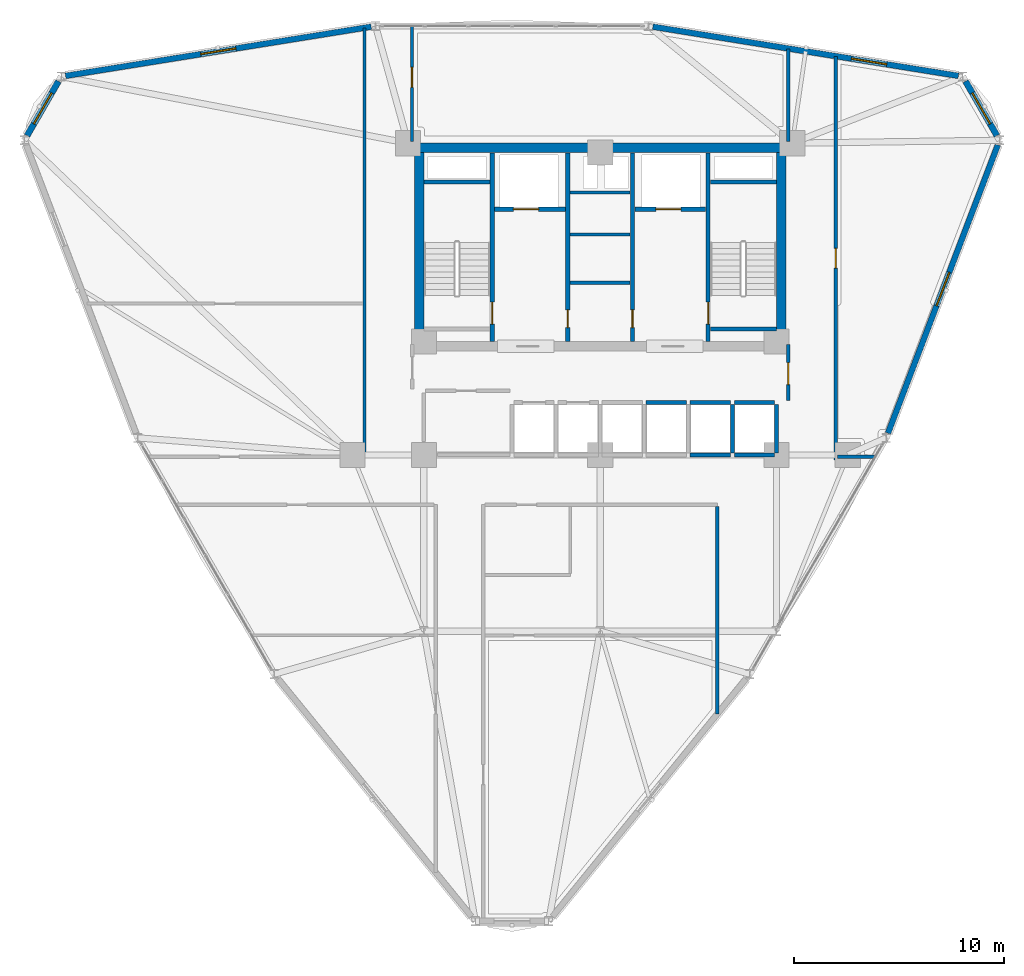
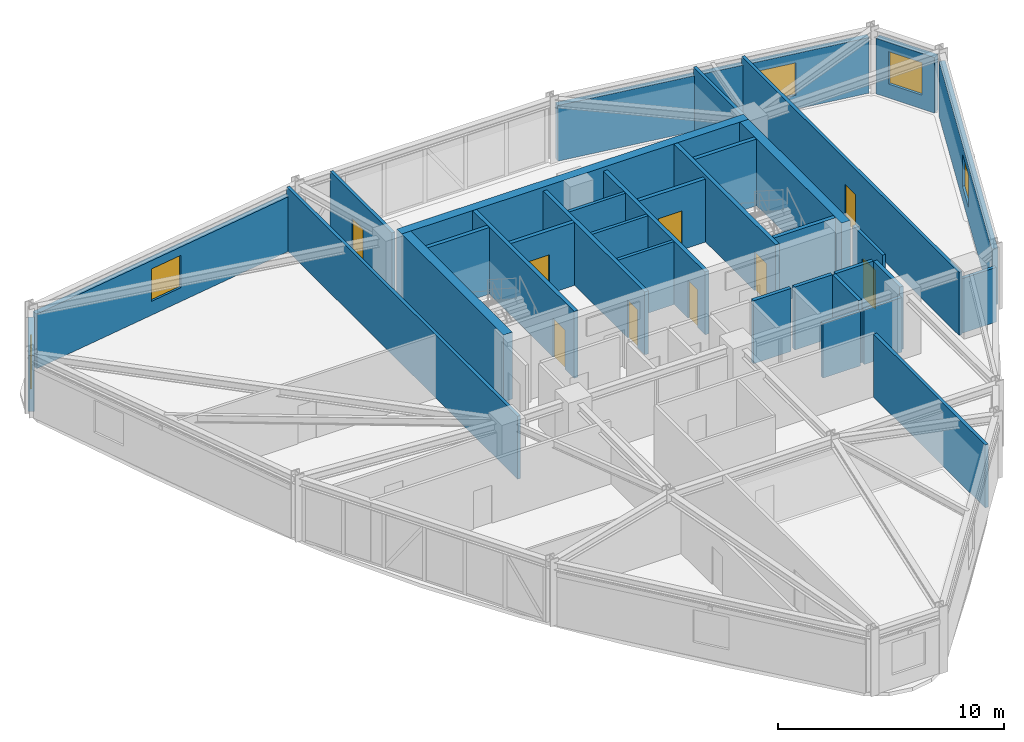
# One storey, part 11 of 15: 34 walls, 9 doors, 5 windows, 14 openings.
"""IFC4 building model written with IfcOpenShell, lengths in metres."""

from ifc_helpers import new_model, si_unit, derived_unit, direction, frame, frame_2d, origin, place, context, subcontext, project, spatial, rectangle, extrude, material, layer, layer_set, type_object, element, fill, save


model = new_model("IFC4")

# Units and contexts
model_context = context("Model", 3, precision=1e-05, world=origin(), true_north=direction((0.0, 1.0)))
body_context = subcontext(model_context, "Body", "Model", "MODEL_VIEW")
ifc_project = project(units=[si_unit("LENGTHUNIT", "METRE"), si_unit("AREAUNIT", "SQUARE_METRE"), si_unit("VOLUMEUNIT", "CUBIC_METRE"), si_unit("PLANEANGLEUNIT", "RADIAN"), si_unit("MASSUNIT", "GRAM", prefix="KILO"), derived_unit("THERMALTRANSMITTANCEUNIT", [(si_unit("POWERUNIT", "WATT"), 1), (si_unit("LENGTHUNIT", "METRE"), -2), (si_unit("THERMODYNAMICTEMPERATUREUNIT", "KELVIN"), -1)])], contexts=[model_context])

# Site, building, storey
site_placement = place(None, origin())
site = spatial("IfcSite", under=ifc_project, at=site_placement, CompositionType="ELEMENT")
building_placement = place(site_placement, origin())
building = spatial("IfcBuilding", under=site, at=building_placement, Name="Korsvarv Bourse and Concert Hall", CompositionType="ELEMENT")
storey_placement = place(building_placement, frame((0.0, 0.0, 147.0)))
storey = spatial("IfcBuildingStorey", under=building, at=storey_placement, Name="L37", CompositionType="ELEMENT", Elevation=147.0)

# Wall, opening, door
ifc_material_1 = material(Name="Concrete C50/60", Category="concrete")
ifc_layer_1 = layer(ifc_material_1, 0.3798828125)
ifc_layer_set_1 = layer_set([ifc_layer_1], Name="Concrete C50/60")
wall_type_1 = type_object("IfcWallType", Name="WL-CORE-380", PredefinedType="SHEAR", material=ifc_layer_set_1)
wall_1_placement = place(storey_placement, frame((30.860107421875, 37.81005859375, 0.0), z_axis=(0.0, 0.0, 1.0), x_axis=(0.0, 1.0, 0.0)))
wall_1 = element("IfcWall", 1, at=wall_1_placement, inside=storey, type_object=wall_type_1, Name="L37 stair shaft structural wall W-L37-ST1-E", PredefinedType="SHEAR", context=body_context, shape_type="SweptSolid", body=[
    extrude(rectangle(XDim=8.97998046875, YDim=0.199951171875, at=frame_2d((4.489990234375, 0.0))), origin(), (0.0, 0.0, 1.0), 3.60009765625),
])
opening_1_placement = place(wall_1_placement, frame((0.820068359375, 0.0, 0.0)))
opening_1 = element("IfcOpeningElement", 2, at=opening_1_placement, cuts=wall_1, Name="Opening D-01", PredefinedType="OPENING", context=body_context, shape_type="SweptSolid", body=[
    extrude(rectangle(XDim=1.050048828125, YDim=2.10009765625, at=frame_2d((0.52490234375, 1.050048828125))), frame((0.0, 0.10986328125, 0.0), z_axis=(0.0, -1.0, 0.0), x_axis=(1.0, 0.0, 0.0)), (0.0, 0.0, 1.0), 0.219970703125),
])
ifc_material_2 = material(Name="Steel S355 fire door", Category="steel")
door_type_1 = type_object("IfcDoorType", Name="DR-FD60", OperationType="NOTDEFINED", PredefinedType="DOOR", material=ifc_material_2)
door_1_placement = place(opening_1_placement, origin())
door_1 = element("IfcDoor", 3, at=door_1_placement, inside=storey, type_object=door_type_1, Name="L37 interior door DR-L37-ST1", OperationType="SINGLE_SWING_LEFT", OverallHeight=2.10009765625, OverallWidth=1.050048828125, PredefinedType="DOOR", context=body_context, shape_type="SweptSolid", body=[
    extrude(rectangle(XDim=1.050048828125, YDim=2.10009765625, at=frame_2d((0.52490234375, 1.050048828125))), frame((0.0, 0.02490234375, 0.0), z_axis=(0.0, -1.0, 0.0), x_axis=(1.0, 0.0, 0.0)), (0.0, 0.0, 1.0), 0.050048828125),
])
fill(opening_1, door_1)

# Wall
wall_2_placement = place(storey_placement, frame((27.610107421875, 45.39990234375, 0.0), z_axis=(0.0, 0.0, 1.0), x_axis=(1.0, 0.0, 0.0)))
element("IfcWall", 4, at=wall_2_placement, inside=storey, type_object=wall_type_1, Name="L37 stair shaft structural wall W-L37-ST1-N", PredefinedType="SHEAR", context=body_context, shape_type="SweptSolid", body=[
    extrude(rectangle(XDim=3.139892578125, YDim=0.199951171875, at=frame_2d((1.56982421875, 0.0))), origin(), (0.0, 0.0, 1.0), 3.60009765625),
])

# Wall, opening, door
wall_3_placement = place(storey_placement, frame((41.139892578125, 37.81005859375, 0.0), z_axis=(0.0, 0.0, 1.0), x_axis=(0.0, 1.0, 0.0)))
wall_3 = element("IfcWall", 5, at=wall_3_placement, inside=storey, type_object=wall_type_1, Name="L37 stair shaft structural wall W-L37-ST2-W", PredefinedType="SHEAR", context=body_context, shape_type="SweptSolid", body=[
    extrude(rectangle(XDim=8.97998046875, YDim=0.199951171875, at=frame_2d((4.489990234375, 0.0))), origin(), (0.0, 0.0, 1.0), 3.60009765625),
])
opening_2_placement = place(wall_3_placement, frame((0.820068359375, 0.0, 0.0)))
opening_2 = element("IfcOpeningElement", 6, at=opening_2_placement, cuts=wall_3, Name="Opening D-01", PredefinedType="OPENING", context=body_context, shape_type="SweptSolid", body=[
    extrude(rectangle(XDim=1.050048828125, YDim=2.10009765625, at=frame_2d((0.52490234375, 1.050048828125))), frame((0.0, 0.10986328125, 0.0), z_axis=(0.0, -1.0, 0.0), x_axis=(1.0, 0.0, 0.0)), (0.0, 0.0, 1.0), 0.219970703125),
])
door_2_placement = place(opening_2_placement, frame((1.050048828125, 0.0, 0.0), z_axis=(0.0, 0.0, 1.0), x_axis=(-1.0, 0.0, 0.0)))
door_2 = element("IfcDoor", 7, at=door_2_placement, inside=storey, type_object=door_type_1, Name="L37 interior door DR-L37-ST2", OperationType="SINGLE_SWING_RIGHT", OverallHeight=2.10009765625, OverallWidth=1.050048828125, PredefinedType="DOOR", context=body_context, shape_type="SweptSolid", body=[
    extrude(rectangle(XDim=1.050048828125, YDim=2.10009765625, at=frame_2d((0.52490234375, 1.050048828125))), frame((0.0, 0.02490234375, 0.0), z_axis=(0.0, -1.0, 0.0), x_axis=(1.0, 0.0, 0.0)), (0.0, 0.0, 1.0), 0.050048828125),
])
fill(opening_2, door_2)

# Walls
for number, where, z_axis, x_axis, name in (
    (8, (41.25, 45.39990234375, 0.0), (0.0, 0.0, 1.0), (1.0, 0.0, 0.0), "L37 stair shaft structural wall W-L37-ST2-N"),
    (9, (41.25, 38.39990234375, 0.0), (0.0, 0.0, 1.0), (1.0, 0.0, 0.0), "L37 stair shaft structural wall W-L37-ST2-S"),
):
    element("IfcWall", number, at=place(storey_placement, frame(where, z_axis=z_axis, x_axis=x_axis)), inside=storey, type_object=wall_type_1, Name=name, PredefinedType="SHEAR", context=body_context, shape_type="SweptSolid", body=[
        extrude(rectangle(XDim=3.139892578125, YDim=0.199951171875, at=frame_2d((1.56982421875, 0.0))), origin(), (0.0, 0.0, 1.0), 3.60009765625),
    ])
ifc_material_3 = material(Name="Concrete C55/67", Category="concrete")
ifc_layer_2 = layer(ifc_material_3, 0.449951171875)
ifc_layer_set_2 = layer_set([ifc_layer_2], Name="Concrete C55/67")
wall_type_2 = type_object("IfcWallType", Name="WL-CORE-450", PredefinedType="SHEAR", material=ifc_layer_set_2)
wall_4_placement = place(storey_placement, frame((27.14990234375, 47.02490234375, 0.0), z_axis=(0.0, 0.0, 1.0), x_axis=(1.0, 0.0, 0.0)))
element("IfcWall", 10, at=wall_4_placement, inside=storey, type_object=wall_type_2, Name="L37 North Core Shear Wall", PredefinedType="SHEAR", context=body_context, shape_type="SweptSolid", body=[
    extrude(rectangle(XDim=17.7001953125, YDim=0.449951171875, at=frame_2d((8.85009765625, 0.0))), origin(), (0.0, 0.0, 1.0), 3.60009765625),
])
for number, where, z_axis, x_axis, name in (
    (11, (27.375, 37.800048828125, 0.0), (0.0, 0.0, 1.0), (0.0, 1.0, 0.0), "L37 West Core Shear Wall"),
    (12, (44.625, 37.800048828125, 0.0), (0.0, 0.0, 1.0), (0.0, 1.0, 0.0), "L37 East Core Shear Wall"),
):
    element("IfcWall", number, at=place(storey_placement, frame(where, z_axis=z_axis, x_axis=x_axis)), inside=storey, type_object=wall_type_2, Name=name, PredefinedType="SHEAR", context=body_context, shape_type="SweptSolid", body=[
        extrude(rectangle(XDim=9.0, YDim=0.449951171875, at=frame_2d((4.5, 0.0))), origin(), (0.0, 0.0, 1.0), 3.60009765625),
    ])

# Wall, opening, window
ifc_material_4 = material(Name="Precast concrete C45/55 with terracotta rainscreen", Category="concrete")
ifc_layer_3 = layer(ifc_material_4, 0.300048828125)
ifc_layer_set_3 = layer_set([ifc_layer_3], Name="Precast concrete C45/55 with terracotta rainscreen")
wall_type_3 = type_object("IfcWallType", Name="WL-EXT-TC1", PredefinedType="SOLIDWALL", material=ifc_layer_set_3)
wall_5_placement = place(storey_placement, frame((54.905517578125, 47.612548828125, 0.0), z_axis=(0.0, 0.0, 1.0), x_axis=(-0.499974392705, 0.866040187658, 0.0)))
wall_5 = element("IfcWall", 13, at=wall_5_placement, inside=storey, type_object=wall_type_3, Name="L37 terracotta exterior wall EW-L37-B01", PredefinedType="SOLIDWALL", context=body_context, shape_type="SweptSolid", body=[
    extrude(rectangle(XDim=2.991943359375, YDim=0.300048828125, at=frame_2d((1.49609375, 0.0))), origin(), (0.0, 0.0, 1.0), 3.0),
])
opening_3_placement = place(wall_5_placement, frame((0.64599609375, 0.0, 0.75)))
opening_3 = element("IfcOpeningElement", 14, at=opening_3_placement, cuts=wall_5, Name="Opening W-01", PredefinedType="OPENING", context=body_context, shape_type="SweptSolid", body=[
    extrude(rectangle(XDim=1.699951171875, YDim=1.75, at=frame_2d((0.85009765625, 0.875))), frame((0.0, 0.16015625, 0.0), z_axis=(0.0, -1.0, 0.0), x_axis=(1.0, 0.0, 0.0)), (0.0, 0.0, 1.0), 0.320068359375),
])
ifc_material_5 = material(Name="Thermally broken aluminium frame with triple low-E glass", Category="glass")
window_type = type_object("IfcWindowType", Name="WIN-TW1", PartitioningType="SINGLE_PANEL", PredefinedType="WINDOW", material=ifc_material_5)
window_1_placement = place(opening_3_placement, origin())
window_1 = element("IfcWindow", 15, at=window_1_placement, inside=storey, type_object=window_type, Name="L37 punched facade window W-01", OverallHeight=1.75, OverallWidth=1.699951171875, PartitioningType="SINGLE_PANEL", PredefinedType="WINDOW", context=body_context, shape_type="SweptSolid", body=[
    extrude(rectangle(XDim=1.699951171875, YDim=1.75, at=frame_2d((0.85009765625, 0.875))), frame((0.0, 0.030029296875, 0.0), z_axis=(0.0, -1.0, 0.0), x_axis=(1.0, 0.0, 0.0)), (0.0, 0.0, 1.0), 0.06005859375),
])
fill(opening_3, window_1)

wall_6_placement = place(storey_placement, frame((10.1904296875, 50.20361328125, 0.0), z_axis=(0.0, 0.0, 1.0), x_axis=(-0.499974392705, -0.866040187658, 0.0)))
wall_6 = element("IfcWall", 16, at=wall_6_placement, inside=storey, type_object=wall_type_3, Name="L37 terracotta exterior wall EW-L37-B05", PredefinedType="SOLIDWALL", context=body_context, shape_type="SweptSolid", body=[
    extrude(rectangle(XDim=2.991943359375, YDim=0.300048828125, at=frame_2d((1.49609375, 0.0))), origin(), (0.0, 0.0, 1.0), 3.0),
])
opening_4_placement = place(wall_6_placement, frame((0.64599609375, 0.0, 0.75)))
opening_4 = element("IfcOpeningElement", 17, at=opening_4_placement, cuts=wall_6, Name="Opening W-01", PredefinedType="OPENING", context=body_context, shape_type="SweptSolid", body=[
    extrude(rectangle(XDim=1.699951171875, YDim=1.75, at=frame_2d((0.85009765625, 0.875))), frame((0.0, 0.16015625, 0.0), z_axis=(0.0, -1.0, 0.0), x_axis=(1.0, 0.0, 0.0)), (0.0, 0.0, 1.0), 0.320068359375),
])
window_2_placement = place(opening_4_placement, origin())
window_2 = element("IfcWindow", 18, at=window_2_placement, inside=storey, type_object=window_type, Name="L37 punched facade window W-01", OverallHeight=1.75, OverallWidth=1.699951171875, PartitioningType="SINGLE_PANEL", PredefinedType="WINDOW", context=body_context, shape_type="SweptSolid", body=[
    extrude(rectangle(XDim=1.699951171875, YDim=1.75, at=frame_2d((0.85009765625, 0.875))), frame((0.0, 0.030029296875, 0.0), z_axis=(0.0, -1.0, 0.0), x_axis=(1.0, 0.0, 0.0)), (0.0, 0.0, 1.0), 0.06005859375),
])
fill(opening_4, window_2)

ifc_material_6 = material(Name="Precast concrete C45/55 with fluted terracotta pier", Category="concrete")
ifc_layer_4 = layer(ifc_material_6, 0.280029296875)
ifc_layer_set_4 = layer_set([ifc_layer_4], Name="Precast concrete C45/55 with fluted terracotta pier")
wall_type_4 = type_object("IfcWallType", Name="WL-EXT-TC2", PredefinedType="SOLIDWALL", material=ifc_layer_set_4)
wall_7_placement = place(storey_placement, frame((53.070068359375, 50.460205078125, 0.0), z_axis=(0.0, 0.0, 1.0), x_axis=(-0.987303259595, 0.158846698404, 0.0)))
wall_7 = element("IfcWall", 19, at=wall_7_placement, inside=storey, type_object=wall_type_4, Name="L37 terracotta exterior wall EW-L37-B02", PredefinedType="SOLIDWALL", context=body_context, shape_type="SweptSolid", body=[
    extrude(rectangle(XDim=14.74560546875, YDim=0.280029296875, at=frame_2d((7.372802734375, 0.0))), origin(), (0.0, 0.0, 1.0), 3.0),
])
opening_5_placement = place(wall_7_placement, frame((3.46142578125, 0.0, 0.75)))
opening_5 = element("IfcOpeningElement", 20, at=opening_5_placement, cuts=wall_7, Name="Opening W-01", PredefinedType="OPENING", context=body_context, shape_type="SweptSolid", body=[
    extrude(rectangle(XDim=1.699951171875, YDim=1.75, at=frame_2d((0.85009765625, 0.875))), frame((0.0, 0.14990234375, 0.0), z_axis=(0.0, -1.0, 0.0), x_axis=(1.0, 0.0, 0.0)), (0.0, 0.0, 1.0), 0.300048828125),
])
window_3_placement = place(opening_5_placement, origin())
window_3 = element("IfcWindow", 21, at=window_3_placement, inside=storey, type_object=window_type, Name="L37 punched facade window W-01", OverallHeight=1.75, OverallWidth=1.699951171875, PartitioningType="SINGLE_PANEL", PredefinedType="WINDOW", context=body_context, shape_type="SweptSolid", body=[
    extrude(rectangle(XDim=1.699951171875, YDim=1.75, at=frame_2d((0.85009765625, 0.875))), frame((0.0, 0.030029296875, 0.0), z_axis=(0.0, -1.0, 0.0), x_axis=(1.0, 0.0, 0.0)), (0.0, 0.0, 1.0), 0.06005859375),
])
fill(opening_5, window_3)

wall_8_placement = place(storey_placement, frame((25.088134765625, 52.802490234375, 0.0), z_axis=(0.0, 0.0, 1.0), x_axis=(-0.987303259595, -0.158846698404, 0.0)))
wall_8 = element("IfcWall", 22, at=wall_8_placement, inside=storey, type_object=wall_type_4, Name="L37 terracotta exterior wall EW-L37-B04", PredefinedType="SOLIDWALL", context=body_context, shape_type="SweptSolid", body=[
    extrude(rectangle(XDim=14.74560546875, YDim=0.280029296875, at=frame_2d((7.372802734375, 0.0))), origin(), (0.0, 0.0, 1.0), 2.949951171875),
])
opening_6_placement = place(wall_8_placement, frame((6.522705078125, 0.0, 0.75)))
opening_6 = element("IfcOpeningElement", 23, at=opening_6_placement, cuts=wall_8, Name="Opening W-01", PredefinedType="OPENING", context=body_context, shape_type="SweptSolid", body=[
    extrude(rectangle(XDim=1.699951171875, YDim=1.75, at=frame_2d((0.85009765625, 0.875))), frame((0.0, 0.14990234375, 0.0), z_axis=(0.0, -1.0, 0.0), x_axis=(1.0, 0.0, 0.0)), (0.0, 0.0, 1.0), 0.300048828125),
])
window_4_placement = place(opening_6_placement, origin())
window_4 = element("IfcWindow", 24, at=window_4_placement, inside=storey, type_object=window_type, Name="L37 punched facade window W-01", OverallHeight=1.75, OverallWidth=1.699951171875, PartitioningType="SINGLE_PANEL", PredefinedType="WINDOW", context=body_context, shape_type="SweptSolid", body=[
    extrude(rectangle(XDim=1.699951171875, YDim=1.75, at=frame_2d((0.85009765625, 0.875))), frame((0.0, 0.030029296875, 0.0), z_axis=(0.0, -1.0, 0.0), x_axis=(1.0, 0.0, 0.0)), (0.0, 0.0, 1.0), 0.06005859375),
])
fill(opening_6, window_4)

wall_9_placement = place(storey_placement, frame((49.716064453125, 33.43408203125, 0.0), z_axis=(0.0, 0.0, 1.0), x_axis=(0.356077530784, 0.934456415287, 0.0)))
wall_9 = element("IfcWall", 25, at=wall_9_placement, inside=storey, type_object=wall_type_4, Name="L37 terracotta exterior wall EW-L37-B12", PredefinedType="SOLIDWALL", context=body_context, shape_type="SweptSolid", body=[
    extrude(rectangle(XDim=14.69677734375, YDim=0.280029296875, at=frame_2d((7.348388671875, 0.0))), origin(), (0.0, 0.0, 1.0), 3.0),
])
opening_7_placement = place(wall_9_placement, frame((6.498291015625, 0.0, 0.75)))
opening_7 = element("IfcOpeningElement", 26, at=opening_7_placement, cuts=wall_9, Name="Opening W-01", PredefinedType="OPENING", context=body_context, shape_type="SweptSolid", body=[
    extrude(rectangle(XDim=1.699951171875, YDim=1.75, at=frame_2d((0.85009765625, 0.875))), frame((0.0, 0.14990234375, 0.0), z_axis=(0.0, -1.0, 0.0), x_axis=(1.0, 0.0, 0.0)), (0.0, 0.0, 1.0), 0.300048828125),
])
window_5_placement = place(opening_7_placement, origin())
window_5 = element("IfcWindow", 27, at=window_5_placement, inside=storey, type_object=window_type, Name="L37 punched facade window W-01", OverallHeight=1.75, OverallWidth=1.699951171875, PartitioningType="SINGLE_PANEL", PredefinedType="WINDOW", context=body_context, shape_type="SweptSolid", body=[
    extrude(rectangle(XDim=1.699951171875, YDim=1.75, at=frame_2d((0.85009765625, 0.875))), frame((0.0, 0.030029296875, 0.0), z_axis=(0.0, -1.0, 0.0), x_axis=(1.0, 0.0, 0.0)), (0.0, 0.0, 1.0), 0.06005859375),
])
fill(opening_7, window_5)

# Wall, opening, door
ifc_material_7 = material(Name="Reinforced concrete blockwork C35/45 fire wall", Category="concrete")
ifc_layer_5 = layer(ifc_material_7, 0.199951171875)
ifc_layer_set_5 = layer_set([ifc_layer_5], Name="Reinforced concrete blockwork C35/45 fire wall")
wall_type_5 = type_object("IfcWallType", Name="WL-INT-EI120", PredefinedType="PARTITIONING", material=ifc_layer_set_5)
wall_10_placement = place(storey_placement, frame((30.969970703125, 44.10009765625, 0.0), z_axis=(0.0, 0.0, 1.0), x_axis=(1.0, 0.0, 0.0)))
wall_10 = element("IfcWall", 28, at=wall_10_placement, inside=storey, type_object=wall_type_5, Name="L37 interior partition wall W-L37-FF1-S", PredefinedType="PARTITIONING", context=body_context, shape_type="SweptSolid", body=[
    extrude(rectangle(XDim=3.380126953125, YDim=0.199951171875, at=frame_2d((1.68994140625, 0.0))), origin(), (0.0, 0.0, 1.0), 3.39990234375),
])
opening_8_placement = place(wall_10_placement, frame((0.89990234375, 0.0, 0.0)))
opening_8 = element("IfcOpeningElement", 29, at=opening_8_placement, cuts=wall_10, Name="Opening LD-1", PredefinedType="OPENING", context=body_context, shape_type="SweptSolid", body=[
    extrude(rectangle(XDim=1.199951171875, YDim=2.10009765625, at=frame_2d((0.60009765625, 1.050048828125))), frame((0.0, 0.10986328125, 0.0), z_axis=(0.0, -1.0, 0.0), x_axis=(1.0, 0.0, 0.0)), (0.0, 0.0, 1.0), 0.219970703125),
])
ifc_material_8 = material(Name="Stainless Steel S355 firefighting lift landing door", Category="steel")
door_type_2 = type_object("IfcDoorType", Name="DR-LIFT-FF", OperationType="DOUBLE_DOOR_SLIDING", PredefinedType="DOOR", material=ifc_material_8)
door_3_placement = place(opening_8_placement, origin())
door_3 = element("IfcDoor", 30, at=door_3_placement, inside=storey, type_object=door_type_2, Name="L37 lift sliding landing door LD-L37-FF1", OperationType="DOUBLE_DOOR_SLIDING", OverallHeight=2.10009765625, OverallWidth=1.199951171875, PredefinedType="DOOR", context=body_context, shape_type="SweptSolid", body=[
    extrude(rectangle(XDim=1.199951171875, YDim=2.10009765625, at=frame_2d((0.60009765625, 1.050048828125))), frame((0.0, 0.02490234375, 0.0), z_axis=(0.0, -1.0, 0.0), x_axis=(1.0, 0.0, 0.0)), (0.0, 0.0, 1.0), 0.050048828125),
])
fill(opening_8, door_3)

wall_11_placement = place(storey_placement, frame((37.64990234375, 44.10009765625, 0.0), z_axis=(0.0, 0.0, 1.0), x_axis=(1.0, 0.0, 0.0)))
wall_11 = element("IfcWall", 31, at=wall_11_placement, inside=storey, type_object=wall_type_5, Name="L37 interior partition wall W-L37-FF2-S", PredefinedType="PARTITIONING", context=body_context, shape_type="SweptSolid", body=[
    extrude(rectangle(XDim=3.380126953125, YDim=0.199951171875, at=frame_2d((1.68994140625, 0.0))), origin(), (0.0, 0.0, 1.0), 3.39990234375),
])
opening_9_placement = place(wall_11_placement, frame((1.0, 0.0, 0.0)))
opening_9 = element("IfcOpeningElement", 32, at=opening_9_placement, cuts=wall_11, Name="Opening LD-1", PredefinedType="OPENING", context=body_context, shape_type="SweptSolid", body=[
    extrude(rectangle(XDim=1.199951171875, YDim=2.10009765625, at=frame_2d((0.60009765625, 1.050048828125))), frame((0.0, 0.10986328125, 0.0), z_axis=(0.0, -1.0, 0.0), x_axis=(1.0, 0.0, 0.0)), (0.0, 0.0, 1.0), 0.219970703125),
])
door_4_placement = place(opening_9_placement, origin())
door_4 = element("IfcDoor", 33, at=door_4_placement, inside=storey, type_object=door_type_2, Name="L37 lift sliding landing door LD-L37-FF2", OperationType="DOUBLE_DOOR_SLIDING", OverallHeight=2.10009765625, OverallWidth=1.199951171875, PredefinedType="DOOR", context=body_context, shape_type="SweptSolid", body=[
    extrude(rectangle(XDim=1.199951171875, YDim=2.10009765625, at=frame_2d((0.60009765625, 1.050048828125))), frame((0.0, 0.02490234375, 0.0), z_axis=(0.0, -1.0, 0.0), x_axis=(1.0, 0.0, 0.0)), (0.0, 0.0, 1.0), 0.050048828125),
])
fill(opening_9, door_4)

wall_12_placement = place(storey_placement, frame((34.4599609375, 37.81005859375, 0.0), z_axis=(0.0, 0.0, 1.0), x_axis=(0.0, 1.0, 0.0)))
wall_12 = element("IfcWall", 34, at=wall_12_placement, inside=storey, type_object=wall_type_5, Name="L37 interior partition wall W-L37-CSB-W", PredefinedType="PARTITIONING", context=body_context, shape_type="SweptSolid", body=[
    extrude(rectangle(XDim=8.97998046875, YDim=0.199951171875, at=frame_2d((4.489990234375, 0.0))), origin(), (0.0, 0.0, 1.0), 3.39990234375),
])
opening_10_placement = place(wall_12_placement, frame((0.64990234375, 0.0, 0.0)))
opening_10 = element("IfcOpeningElement", 35, at=opening_10_placement, cuts=wall_12, Name="Opening D-05", PredefinedType="OPENING", context=body_context, shape_type="SweptSolid", body=[
    extrude(rectangle(XDim=0.85009765625, YDim=2.050048828125, at=frame_2d((0.425048828125, 1.02490234375))), frame((0.0, 0.10986328125, 0.0), z_axis=(0.0, -1.0, 0.0), x_axis=(1.0, 0.0, 0.0)), (0.0, 0.0, 1.0), 0.219970703125),
])
door_type_3 = type_object("IfcDoorType", Name="DR-FD60-850X2050", OperationType="NOTDEFINED", PredefinedType="DOOR", material=ifc_material_2)
door_5_placement = place(opening_10_placement, frame((0.85009765625, 0.0, 0.0), z_axis=(0.0, 0.0, 1.0), x_axis=(-1.0, 0.0, 0.0)))
door_5 = element("IfcDoor", 36, at=door_5_placement, inside=storey, type_object=door_type_3, Name="L37 interior door DR-L37-CSB1", OperationType="SINGLE_SWING_LEFT", OverallHeight=2.050048828125, OverallWidth=0.85009765625, PredefinedType="DOOR", context=body_context, shape_type="SweptSolid", body=[
    extrude(rectangle(XDim=0.85009765625, YDim=2.050048828125, at=frame_2d((0.425048828125, 1.02490234375))), frame((0.0, 0.02490234375, 0.0), z_axis=(0.0, -1.0, 0.0), x_axis=(1.0, 0.0, 0.0)), (0.0, 0.0, 1.0), 0.050048828125),
])
fill(opening_10, door_5)

wall_13_placement = place(storey_placement, frame((37.5400390625, 37.81005859375, 0.0), z_axis=(0.0, 0.0, 1.0), x_axis=(0.0, 1.0, 0.0)))
wall_13 = element("IfcWall", 37, at=wall_13_placement, inside=storey, type_object=wall_type_5, Name="L37 interior partition wall W-L37-CSB-E", PredefinedType="PARTITIONING", context=body_context, shape_type="SweptSolid", body=[
    extrude(rectangle(XDim=8.97998046875, YDim=0.199951171875, at=frame_2d((4.489990234375, 0.0))), origin(), (0.0, 0.0, 1.0), 3.39990234375),
])
opening_11_placement = place(wall_13_placement, frame((0.64990234375, 0.0, 0.0)))
opening_11 = element("IfcOpeningElement", 38, at=opening_11_placement, cuts=wall_13, Name="Opening D-05", PredefinedType="OPENING", context=body_context, shape_type="SweptSolid", body=[
    extrude(rectangle(XDim=0.85009765625, YDim=2.050048828125, at=frame_2d((0.425048828125, 1.02490234375))), frame((0.0, 0.10986328125, 0.0), z_axis=(0.0, -1.0, 0.0), x_axis=(1.0, 0.0, 0.0)), (0.0, 0.0, 1.0), 0.219970703125),
])
door_6_placement = place(opening_11_placement, origin())
door_6 = element("IfcDoor", 39, at=door_6_placement, inside=storey, type_object=door_type_3, Name="L37 interior door DR-L37-CSB2", OperationType="SINGLE_SWING_RIGHT", OverallHeight=2.050048828125, OverallWidth=0.85009765625, PredefinedType="DOOR", context=body_context, shape_type="SweptSolid", body=[
    extrude(rectangle(XDim=0.85009765625, YDim=2.050048828125, at=frame_2d((0.425048828125, 1.02490234375))), frame((0.0, 0.02490234375, 0.0), z_axis=(0.0, -1.0, 0.0), x_axis=(1.0, 0.0, 0.0)), (0.0, 0.0, 1.0), 0.050048828125),
])
fill(opening_11, door_6)

# Walls
ifc_material_9 = material(Name="Double-stud fire-rated acoustic partition", Category="gypsum")
ifc_layer_6 = layer(ifc_material_9, 0.159912109375)
ifc_layer_set_6 = layer_set([ifc_layer_6], Name="Double-stud fire-rated acoustic partition")
wall_type_6 = type_object("IfcWallType", Name="WL-INT-EI60", PredefinedType="PARTITIONING", material=ifc_layer_set_6)
for number, where, z_axis, x_axis, name in (
    (40, (34.570068359375, 40.60009765625, 0.0), (0.0, 0.0, 1.0), (1.0, 0.0, 0.0), "L37 interior partition wall W-L37-K1"),
    (41, (34.570068359375, 42.89990234375, 0.0), (0.0, 0.0, 1.0), (1.0, 0.0, 0.0), "L37 interior partition wall W-L37-K2"),
    (42, (34.570068359375, 44.89990234375, 0.0), (0.0, 0.0, 1.0), (1.0, 0.0, 0.0), "L37 interior partition wall W-L37-K3"),
):
    element("IfcWall", number, at=place(storey_placement, frame(where, z_axis=z_axis, x_axis=x_axis)), inside=storey, type_object=wall_type_6, Name=name, PredefinedType="PARTITIONING", context=body_context, shape_type="SweptSolid", body=[
        extrude(rectangle(XDim=2.85986328125, YDim=0.159912109375, at=frame_2d((1.429931640625, 0.0))), origin(), (0.0, 0.0, 1.0), 3.39990234375),
    ])

# Wall, opening, door
wall_14_placement = place(storey_placement, frame((44.9599609375, 35.0, 0.0), z_axis=(0.0, 0.0, 1.0), x_axis=(0.0, 1.0, 0.0)))
wall_14 = element("IfcWall", 43, at=wall_14_placement, inside=storey, type_object=wall_type_6, Name="L37 interior partition wall W-L37-LOB-E", PredefinedType="PARTITIONING", context=body_context, shape_type="SweptSolid", body=[
    extrude(rectangle(XDim=2.64990234375, YDim=0.159912109375, at=frame_2d((1.324951171875, 0.0))), origin(), (0.0, 0.0, 1.0), 3.39990234375),
])
opening_12_placement = place(wall_14_placement, frame((0.75, 0.0, 0.0)))
opening_12 = element("IfcOpeningElement", 44, at=opening_12_placement, cuts=wall_14, Name="Opening D-01", PredefinedType="OPENING", context=body_context, shape_type="SweptSolid", body=[
    extrude(rectangle(XDim=1.050048828125, YDim=2.10009765625, at=frame_2d((0.52490234375, 1.050048828125))), frame((0.0, 0.08984375, 0.0), z_axis=(0.0, -1.0, 0.0), x_axis=(1.0, 0.0, 0.0)), (0.0, 0.0, 1.0), 0.179931640625),
])
door_7_placement = place(opening_12_placement, origin())
door_7 = element("IfcDoor", 45, at=door_7_placement, inside=storey, type_object=door_type_1, Name="L37 interior door DR-L37-LOBE", OperationType="SINGLE_SWING_LEFT", OverallHeight=2.10009765625, OverallWidth=1.050048828125, PredefinedType="DOOR", context=body_context, shape_type="SweptSolid", body=[
    extrude(rectangle(XDim=1.050048828125, YDim=2.10009765625, at=frame_2d((0.52490234375, 1.050048828125))), frame((0.0, 0.02490234375, 0.0), z_axis=(0.0, -1.0, 0.0), x_axis=(1.0, 0.0, 0.0)), (0.0, 0.0, 1.0), 0.050048828125),
])
fill(opening_12, door_7)

# Wall
wall_15_placement = place(storey_placement, frame((24.77490234375, 32.31005859375, 0.0), z_axis=(0.0, 0.0, 1.0), x_axis=(0.0, 1.0, 0.0)))
element("IfcWall", 46, at=wall_15_placement, inside=storey, type_object=wall_type_6, Name="L37 interior partition wall W-L37-TCOR-01", PredefinedType="PARTITIONING", context=body_context, shape_type="SweptSolid", body=[
    extrude(rectangle(XDim=20.422119140625, YDim=0.159912109375, at=frame_2d((10.2109375, 0.0))), origin(), (0.0, 0.0, 1.0), 3.39990234375),
])

# Wall, opening, door
wall_16_placement = place(storey_placement, frame((47.22509765625, 32.159912109375, 0.0), z_axis=(0.0, 0.0, 1.0), x_axis=(0.0, 1.0, 0.0)))
wall_16 = element("IfcWall", 47, at=wall_16_placement, inside=storey, type_object=wall_type_6, Name="L37 interior partition wall W-L37-TCOR-03", PredefinedType="PARTITIONING", context=body_context, shape_type="SweptSolid", body=[
    extrude(rectangle(XDim=19.220703125, YDim=0.159912109375, at=frame_2d((9.6103515625, 0.0))), origin(), (0.0, 0.0, 1.0), 3.39990234375),
])
opening_13_placement = place(wall_16_placement, frame((9.13525390625, 0.0, 0.0)))
opening_13 = element("IfcOpeningElement", 48, at=opening_13_placement, cuts=wall_16, Name="Opening D-02", PredefinedType="OPENING", context=body_context, shape_type="SweptSolid", body=[
    extrude(rectangle(XDim=0.949951171875, YDim=2.050048828125, at=frame_2d((0.47509765625, 1.02490234375))), frame((0.0, 0.08984375, 0.0), z_axis=(0.0, -1.0, 0.0), x_axis=(1.0, 0.0, 0.0)), (0.0, 0.0, 1.0), 0.179931640625),
])
ifc_material_10 = material(Name="Timber and steel acoustic fire door", Category="wood")
door_type_4 = type_object("IfcDoorType", Name="DR-FD30", OperationType="NOTDEFINED", PredefinedType="DOOR", material=ifc_material_10)
door_8_placement = place(opening_13_placement, origin())
door_8 = element("IfcDoor", 49, at=door_8_placement, inside=storey, type_object=door_type_4, Name="L37 interior door DR-L37-TCOR-SOM1", OperationType="SINGLE_SWING_LEFT", OverallHeight=2.050048828125, OverallWidth=0.949951171875, PredefinedType="DOOR", context=body_context, shape_type="SweptSolid", body=[
    extrude(rectangle(XDim=0.949951171875, YDim=2.050048828125, at=frame_2d((0.47509765625, 1.02490234375))), frame((0.0, 0.02490234375, 0.0), z_axis=(0.0, -1.0, 0.0), x_axis=(1.0, 0.0, 0.0)), (0.0, 0.0, 1.0), 0.050048828125),
])
fill(opening_13, door_8)

# Wall
wall_17_placement = place(storey_placement, frame((41.574951171875, 20.060791015625, 0.0), z_axis=(0.0, 0.0, 1.0), x_axis=(0.0, 1.0, 0.0)))
element("IfcWall", 50, at=wall_17_placement, inside=storey, type_object=wall_type_6, Name="L37 interior partition wall W-L37-TCOR-08", PredefinedType="PARTITIONING", context=body_context, shape_type="SweptSolid", body=[
    extrude(rectangle(XDim=9.88232421875, YDim=0.159912109375, at=frame_2d((4.941162109375, 0.0))), origin(), (0.0, 0.0, 1.0), 3.39990234375),
])

# Wall, opening, door
wall_18_placement = place(storey_placement, frame((27.034912109375, 47.340087890625, 0.0), z_axis=(0.0, 0.0, 1.0), x_axis=(0.0, 1.0, 0.0)))
wall_18 = element("IfcWall", 51, at=wall_18_placement, inside=storey, type_object=wall_type_6, Name="L37 interior partition wall W-L37-TCOR-09", PredefinedType="PARTITIONING", context=body_context, shape_type="SweptSolid", body=[
    extrude(rectangle(XDim=5.476318359375, YDim=0.159912109375, at=frame_2d((2.73828125, 0.0))), origin(), (0.0, 0.0, 1.0), 3.39990234375),
])
opening_14_placement = place(wall_18_placement, frame((2.570068359375, 0.0, 0.0)))
opening_14 = element("IfcOpeningElement", 52, at=opening_14_placement, cuts=wall_18, Name="Opening D-02", PredefinedType="OPENING", context=body_context, shape_type="SweptSolid", body=[
    extrude(rectangle(XDim=0.949951171875, YDim=2.050048828125, at=frame_2d((0.47509765625, 1.02490234375))), frame((0.0, 0.08984375, 0.0), z_axis=(0.0, -1.0, 0.0), x_axis=(1.0, 0.0, 0.0)), (0.0, 0.0, 1.0), 0.179931640625),
])
door_9_placement = place(opening_14_placement, origin())
door_9 = element("IfcDoor", 53, at=door_9_placement, inside=storey, type_object=door_type_4, Name="L37 interior door DR-L37-TCOR-CIG2", OperationType="SINGLE_SWING_RIGHT", OverallHeight=2.050048828125, OverallWidth=0.949951171875, PredefinedType="DOOR", context=body_context, shape_type="SweptSolid", body=[
    extrude(rectangle(XDim=0.949951171875, YDim=2.050048828125, at=frame_2d((0.47509765625, 1.02490234375))), frame((0.0, 0.02490234375, 0.0), z_axis=(0.0, -1.0, 0.0), x_axis=(1.0, 0.0, 0.0)), (0.0, 0.0, 1.0), 0.050048828125),
])
fill(opening_14, door_9)

# Walls
wall_19_placement = place(storey_placement, frame((44.965087890625, 47.340087890625, 0.0), z_axis=(0.0, 0.0, 1.0), x_axis=(0.0, 1.0, 0.0)))
element("IfcWall", 54, at=wall_19_placement, inside=storey, type_object=wall_type_6, Name="L37 interior partition wall W-L37-TCOR-10", PredefinedType="PARTITIONING", context=body_context, shape_type="SweptSolid", body=[
    extrude(rectangle(XDim=4.404052734375, YDim=0.159912109375, at=frame_2d((2.2021484375, 0.0))), origin(), (0.0, 0.0, 1.0), 3.39990234375),
])
wall_20_placement = place(storey_placement, frame((47.306884765625, 32.31494140625, 0.0), z_axis=(0.0, 0.0, 1.0), x_axis=(1.0, 0.0, 0.0)))
element("IfcWall", 55, at=wall_20_placement, inside=storey, type_object=wall_type_6, Name="L37 interior partition wall W-L37-TCOR-11", PredefinedType="PARTITIONING", context=body_context, shape_type="SweptSolid", body=[
    extrude(rectangle(XDim=1.78662109375, YDim=0.159912109375, at=frame_2d((0.893310546875, 0.0))), origin(), (0.0, 0.0, 1.0), 2.949951171875),
])
ifc_material_11 = material(Name="Gypsum-clad autoclaved concrete shaft wall C30/37", Category="concrete")
ifc_layer_7 = layer(ifc_material_11, 0.179931640625)
ifc_layer_set_7 = layer_set([ifc_layer_7], Name="Gypsum-clad autoclaved concrete shaft wall C30/37")
wall_type_7 = type_object("IfcWallType", Name="WL-INT-EI90", PredefinedType="PARTITIONING", material=ifc_layer_set_7)
wall_21_placement = place(storey_placement, frame((38.18994140625, 34.89990234375, 0.0), z_axis=(0.0, 0.0, 1.0), x_axis=(1.0, 0.0, 0.0)))
element("IfcWall", 56, at=wall_21_placement, inside=storey, type_object=wall_type_7, Name="L37 interior partition wall W-L37-SHFN-PH2", PredefinedType="PARTITIONING", context=body_context, shape_type="SweptSolid", body=[
    extrude(rectangle(XDim=1.920166015625, YDim=0.179931640625, at=frame_2d((0.9599609375, 0.0))), origin(), (0.0, 0.0, 1.0), 3.39990234375),
])
wall_22_placement = place(storey_placement, frame((40.2900390625, 34.89990234375, 0.0), z_axis=(0.0, 0.0, 1.0), x_axis=(1.0, 0.0, 0.0)))
element("IfcWall", 57, at=wall_22_placement, inside=storey, type_object=wall_type_7, Name="L37 interior partition wall W-L37-SHFN-PO1", PredefinedType="PARTITIONING", context=body_context, shape_type="SweptSolid", body=[
    extrude(rectangle(XDim=1.919921875, YDim=0.179931640625, at=frame_2d((0.9599609375, 0.0))), origin(), (0.0, 0.0, 1.0), 3.39990234375),
])
wall_23_placement = place(storey_placement, frame((40.2900390625, 32.39990234375, 0.0), z_axis=(0.0, 0.0, 1.0), x_axis=(1.0, 0.0, 0.0)))
element("IfcWall", 58, at=wall_23_placement, inside=storey, type_object=wall_type_7, Name="L37 interior partition wall W-L37-SHFS-PO1", PredefinedType="PARTITIONING", context=body_context, shape_type="SweptSolid", body=[
    extrude(rectangle(XDim=1.919921875, YDim=0.179931640625, at=frame_2d((0.9599609375, 0.0))), origin(), (0.0, 0.0, 1.0), 2.949951171875),
])
wall_24_placement = place(storey_placement, frame((42.389892578125, 34.89990234375, 0.0), z_axis=(0.0, 0.0, 1.0), x_axis=(1.0, 0.0, 0.0)))
element("IfcWall", 59, at=wall_24_placement, inside=storey, type_object=wall_type_7, Name="L37 interior partition wall W-L37-SHFN-PO2", PredefinedType="PARTITIONING", context=body_context, shape_type="SweptSolid", body=[
    extrude(rectangle(XDim=1.920166015625, YDim=0.179931640625, at=frame_2d((0.9599609375, 0.0))), origin(), (0.0, 0.0, 1.0), 3.39990234375),
])
wall_25_placement = place(storey_placement, frame((42.389892578125, 32.39990234375, 0.0), z_axis=(0.0, 0.0, 1.0), x_axis=(1.0, 0.0, 0.0)))
element("IfcWall", 60, at=wall_25_placement, inside=storey, type_object=wall_type_7, Name="L37 interior partition wall W-L37-SHFS-PO2", PredefinedType="PARTITIONING", context=body_context, shape_type="SweptSolid", body=[
    extrude(rectangle(XDim=1.920166015625, YDim=0.179931640625, at=frame_2d((0.9599609375, 0.0))), origin(), (0.0, 0.0, 1.0), 2.949951171875),
])
for number, where, z_axis, x_axis, name in (
    (61, (42.300048828125, 32.489990234375, 0.0), (0.0, 0.0, 1.0), (0.0, 1.0, 0.0), "L37 interior partition wall W-L37-SHFW-PO2"),
    (62, (44.39990234375, 32.489990234375, 0.0), (0.0, 0.0, 1.0), (0.0, 1.0, 0.0), "L37 interior partition wall W-L37-SHFE-END"),
):
    element("IfcWall", number, at=place(storey_placement, frame(where, z_axis=z_axis, x_axis=x_axis)), inside=storey, type_object=wall_type_7, Name=name, PredefinedType="PARTITIONING", context=body_context, shape_type="SweptSolid", body=[
        extrude(rectangle(XDim=2.320068359375, YDim=0.179931640625, at=frame_2d((1.16015625, 0.0))), origin(), (0.0, 0.0, 1.0), 3.39990234375),
    ])

save(model, "model.ifc")
